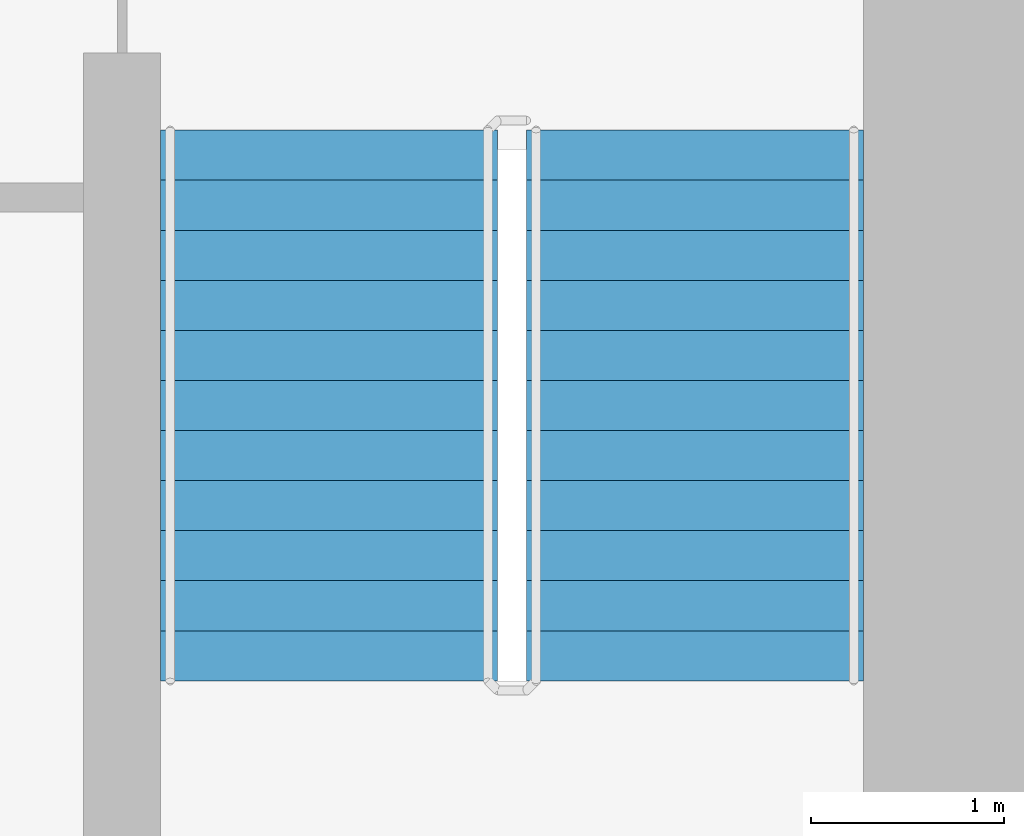
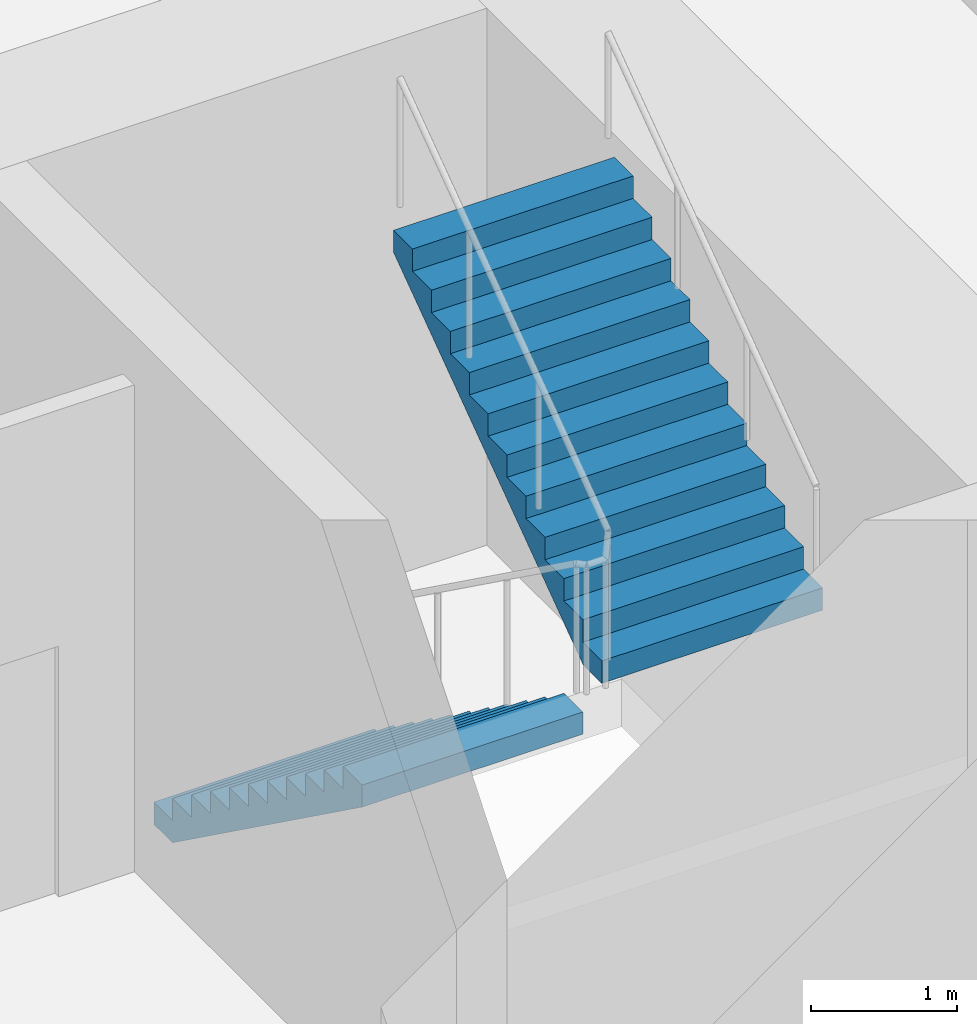
# One storey, part 35 of 49: 2 stair flights, 1 element without a shape of its own.
"""IFC4 building model written with IfcOpenShell, lengths in metres."""

import ifcopenshell
import ifcopenshell.guid

model = None  # the IFC model being written
_history = None  # IfcOwnerHistory: only IFC2X3 demands one
_inside = {}  # id of a spatial element -> (the spatial element, [elements in it])
_under = {}  # id of a project, library or spatial element -> (it, [spatial elements below it])
_declared = {}  # id of a project -> (the project, [libraries it declares])
_typed = {}  # id of a type object -> (the type object, [elements of that type])
_made_of = {}  # id of a material, layer set ... -> (it, [elements and type objects made of it])


def new_model(schema):
    """Start an empty IFC model of exactly this schema.

    Asked for "IFC4X3", IfcOpenShell would pick the latest addendum, in which some entities
    have other attributes; the version numbers below select the first issue.
    IFC2X3 requires an IfcOwnerHistory on every rooted entity: one is made here for all.
    """
    global model, _history
    if schema == "IFC4X3":
        model = ifcopenshell.file(schema_version=(4, 3, 0, 0))
    else:
        model = ifcopenshell.file(schema=schema)
    _inside.clear()
    _under.clear()
    _declared.clear()
    _typed.clear()
    _made_of.clear()
    _history = None
    if model.schema == "IFC2X3":
        org = make("IfcOrganization", Name="unknown")
        user = make(
            "IfcPersonAndOrganization",
            ThePerson=make("IfcPerson", FamilyName="unknown"),
            TheOrganization=org,
        )
        app = make(
            "IfcApplication",
            ApplicationDeveloper=org,
            Version="unknown",
            ApplicationFullName="unknown",
            ApplicationIdentifier="unknown",
        )
        _history = make(
            "IfcOwnerHistory",
            OwningUser=user,
            OwningApplication=app,
            ChangeAction="ADDED",
            CreationDate=0,
        )
    return model


def make(cls, **values):
    """One entity of the class cls with the attributes given. An attribute that is None is left unset."""
    return model.create_entity(
        cls, **{name: value for name, value in values.items() if value is not None}
    )


def rooted(cls, **values):
    """An entity with a GlobalId (a new one), such as an element, a storey or a relation."""
    return make(cls, GlobalId=ifcopenshell.guid.new(), OwnerHistory=_history, **values)


def si_unit(unit_type, name, prefix=None):
    """IfcSIUnit, for example si_unit("LENGTHUNIT", "METRE", prefix="MILLI")."""
    return make("IfcSIUnit", UnitType=unit_type, Prefix=prefix, Name=name)


def assignment(units):
    """IfcUnitAssignment: the units of a project."""
    return None if units is None else make("IfcUnitAssignment", Units=units)


def point(xyz):
    """IfcCartesianPoint."""
    return None if xyz is None else make("IfcCartesianPoint", Coordinates=xyz)


def direction(xyz):
    """IfcDirection."""
    return None if xyz is None else make("IfcDirection", DirectionRatios=xyz)


def frame(location, z_axis=None, x_axis=None):
    """IfcAxis2Placement3D, a coordinate frame: its origin and axes. An axis left out is left unset."""
    return make(
        "IfcAxis2Placement3D",
        Location=point(location),
        Axis=direction(z_axis),
        RefDirection=direction(x_axis),
    )


def origin():
    """The frame at (0, 0, 0) with its axes left unset."""
    return frame((0.0, 0.0, 0.0))


def place(relative_to, where):
    """IfcLocalPlacement: puts the frame where relative to a parent placement (None: the world)."""
    return make(
        "IfcLocalPlacement", PlacementRelTo=relative_to, RelativePlacement=where
    )


def context(
    kind, dimensions, precision=None, world=None, true_north=None, identifier=None
):
    """IfcGeometricRepresentationContext, for example the 3D "Model" context."""
    return make(
        "IfcGeometricRepresentationContext",
        ContextIdentifier=identifier,
        ContextType=kind,
        CoordinateSpaceDimension=dimensions,
        Precision=precision,
        WorldCoordinateSystem=world,
        TrueNorth=true_north,
    )


def subcontext(parent, identifier, kind, view, scale=None):
    """IfcGeometricRepresentationSubContext, for example "Body" below "Model"."""
    return make(
        "IfcGeometricRepresentationSubContext",
        ContextIdentifier=identifier,
        ContextType=kind,
        ParentContext=parent,
        TargetScale=scale,
        TargetView=view,
    )


def project(units=None, contexts=None):
    """IfcProject with its units and contexts."""
    return rooted(
        "IfcProject",
        Name="project",
        RepresentationContexts=contexts,
        UnitsInContext=assignment(units),
    )


def spatial(cls, under=None, at=None, **own):
    """A site, building, storey or space (cls), placed at a placement, below another one or the project."""
    s = rooted(cls, ObjectPlacement=at, **own)
    if under is not None:
        _under.setdefault(under.id(), (under, []))[1].append(s)
    return s


def faces_of(points, faces, orient=None, outer=None):
    """IfcFace entities. A face is a list of loops; a loop is a list of indices into points, from 0.

    orient and outer hold one flag for each loop. By default every Orientation is true, the
    first loop of a face is its IfcFaceOuterBound and the others are IfcFaceBound.
    """
    made = []
    for i, loops in enumerate(faces):
        bounds = []
        for j, loop in enumerate(loops):
            is_outer = j == 0 if outer is None else outer[i][j]
            bounds.append(
                make(
                    "IfcFaceOuterBound" if is_outer else "IfcFaceBound",
                    Bound=make("IfcPolyLoop", Polygon=[points[k] for k in loop]),
                    Orientation=True if orient is None else orient[i][j],
                )
            )
        made.append(make("IfcFace", Bounds=bounds))
    return made


def faceted_brep(points, faces, orient=None, outer=None, voids=None):
    """IfcFacetedBrep: a solid bounded by flat faces; with voids (closed shells), ...WithVoids."""
    shared = [point(p) for p in points]
    hull = make("IfcClosedShell", CfsFaces=faces_of(shared, faces, orient, outer))
    if voids is None:
        return make("IfcFacetedBrep", Outer=hull)
    return make(
        "IfcFacetedBrepWithVoids",
        Outer=hull,
        Voids=[
            make(cls, CfsFaces=faces_of(shared, fs, o, b)) for cls, fs, o, b in voids
        ],
    )


def shape(context_of_items, identifier, shape_type, items):
    """IfcShapeRepresentation: the items that make up one representation, for example the "Body"."""
    return make(
        "IfcShapeRepresentation",
        ContextOfItems=context_of_items,
        RepresentationIdentifier=identifier,
        RepresentationType=shape_type,
        Items=items,
    )


def material(Name=None, Category=None):
    """IfcMaterial."""
    return make("IfcMaterial", Name=Name, Category=Category)


def made_of(thing, what):
    """Note that an element or type object is made of a material, layer set ...; save() writes the relation."""
    if what is not None:
        _made_of.setdefault(what.id(), (what, []))[1].append(thing)
    return thing


def type_object(cls, material=None, **own):
    """A type object (cls), such as IfcWallType, which elements share."""
    return made_of(rooted(cls, **own), material)


def element(
    cls,
    number,
    at=None,
    inside=None,
    cuts=None,
    type_object=None,
    material=None,
    context=None,
    identifier="Body",
    shape_type=None,
    held_by="IfcProductDefinitionShape",
    body=None,
    shapes=None,
    **own,
):
    """One element of the class cls, such as IfcWall. Its Tag is "e" and its number.

    at: its placement. inside: the storey or other place that contains it. cuts: it is an
    opening in that element (IfcRelVoidsElement). A single representation is given by context,
    identifier, shape_type and body (its items); several are given by shapes. held_by: the class
    of the entity that holds the representations. save() writes the other relations.
    """
    e = rooted(cls, Tag="e%d" % number, ObjectPlacement=at, **own)
    if body is not None:
        shapes = [shape(context, identifier, shape_type, body)]
    if shapes is not None:
        e.Representation = make(held_by, Representations=shapes)
    if inside is not None:
        _inside.setdefault(inside.id(), (inside, []))[1].append(e)
    if cuts is not None:
        rooted(
            "IfcRelVoidsElement", RelatingBuildingElement=cuts, RelatedOpeningElement=e
        )
    if type_object is not None:
        _typed.setdefault(type_object.id(), (type_object, []))[1].append(e)
    return made_of(e, material)


def aggregate(whole, parts):
    """IfcRelAggregates: a whole, such as a stair, and the parts it consists of."""
    return rooted("IfcRelAggregates", RelatingObject=whole, RelatedObjects=parts)


def save(model, path):
    """Write the relations noted so far, then the file.

    IfcRelAggregates (storeys below a building ...), IfcRelContainedInSpatialStructure (elements
    in a storey), IfcRelDefinesByType, IfcRelAssociatesMaterial and IfcRelDeclares: one each for
    every whole, place, type object, material and project.
    """
    for whole, parts in _under.values():
        aggregate(whole, parts)
    for where, things in _inside.values():
        rooted(
            "IfcRelContainedInSpatialStructure",
            RelatedElements=things,
            RelatingStructure=where,
        )
    for kind, things in _typed.values():
        rooted("IfcRelDefinesByType", RelatedObjects=things, RelatingType=kind)
    for what, things in _made_of.values():
        rooted("IfcRelAssociatesMaterial", RelatedObjects=things, RelatingMaterial=what)
    for by, libraries in _declared.values():
        rooted("IfcRelDeclares", RelatingContext=by, RelatedDefinitions=libraries)
    model.write(path)


model = new_model("IFC4")

# Units and contexts
model_context = context("Model", 3, precision=1e-05, world=origin(), true_north=direction((0.0, 1.0)))
body_context = subcontext(model_context, "Body", "Model", "MODEL_VIEW")
ifc_project = project(units=[si_unit("LENGTHUNIT", "METRE"), si_unit("AREAUNIT", "SQUARE_METRE"), si_unit("VOLUMEUNIT", "CUBIC_METRE"), si_unit("PLANEANGLEUNIT", "RADIAN"), si_unit("MASSUNIT", "GRAM", prefix="KILO")], contexts=[model_context])

# Site, building, storey
site_placement = place(None, origin())
site = spatial("IfcSite", under=ifc_project, at=site_placement, CompositionType="ELEMENT")
building_placement = place(site_placement, origin())
building = spatial("IfcBuilding", under=site, at=building_placement, Name="Ipe Terrace Towers", CompositionType="ELEMENT")
storey_placement = place(building_placement, frame((0.0, 0.0, 11.0)))
storey = spatial("IfcBuildingStorey", under=building, at=storey_placement, Name="L02", CompositionType="ELEMENT", Elevation=11.0)

# Stair, stair flights
ifc_material_1 = material(Name="Concrete C30/37", Category="concrete")
stair_type = type_object("IfcStairType", Name="Protected exit stair", PredefinedType="HALF_TURN_STAIR", material=ifc_material_1)
stair_placement = place(storey_placement, origin())
stair = element("IfcStair", 1, at=stair_placement, inside=storey, type_object=stair_type, Name="L02 Exit stair T2-C2", PredefinedType="HALF_TURN_STAIR")
ifc_material_2 = material(Name="Concrete C30/37", Category="concrete")
stair_flight_type = type_object("IfcStairFlightType", Name="Exit stair flight 1750", PredefinedType="STRAIGHT", material=ifc_material_2)
stair_flight_1_placement = place(storey_placement, frame((38.77490234375, -9.699951171875, 0.0), z_axis=(0.0, 0.0, 1.0), x_axis=(0.0, -1.0, 0.0)))
stair_flight_1 = element("IfcStairFlight", 2, at=stair_flight_1_placement, type_object=stair_flight_type, Name="T2-ST2 flight 1", NumberOfRisers=12, NumberOfTreads=11, PredefinedType="STRAIGHT", RiserHeight=0.1875, TreadLength=0.26, context=body_context, shape_type="Brep", body=[
    faceted_brep([(0.25634765625, -0.875, 0.0), (2.860107421875, -0.875, 1.877685546875), (2.860107421875, -0.875, 2.0625), (2.60009765625, -0.875, 2.0625), (2.60009765625, -0.875, 1.875), (2.340087890625, -0.875, 1.875), (2.340087890625, -0.875, 1.6875), (2.080078125, -0.875, 1.6875), (2.080078125, -0.875, 1.5), (1.820068359375, -0.875, 1.5), (1.820068359375, -0.875, 1.3125), (1.56005859375, -0.875, 1.3125), (1.56005859375, -0.875, 1.125), (1.300048828125, -0.875, 1.125), (1.300048828125, -0.875, 0.9375), (1.0400390625, -0.875, 0.9375), (1.0400390625, -0.875, 0.75), (0.780029296875, -0.875, 0.75), (0.780029296875, -0.875, 0.5625), (0.52001953125, -0.875, 0.5625), (0.52001953125, -0.875, 0.375), (0.260009765625, -0.875, 0.375), (0.260009765625, -0.875, 0.1875), (0.0, -0.875, 0.1875), (0.0, -0.875, 0.0), (0.0, 0.875, 0.0), (0.0, 0.875, 0.1875), (0.260009765625, 0.875, 0.1875), (0.260009765625, 0.875, 0.375), (0.52001953125, 0.875, 0.375), (0.52001953125, 0.875, 0.5625), (0.780029296875, 0.875, 0.5625), (0.780029296875, 0.875, 0.75), (1.0400390625, 0.875, 0.75), (1.0400390625, 0.875, 0.9375), (1.300048828125, 0.875, 0.9375), (1.300048828125, 0.875, 1.125), (1.56005859375, 0.875, 1.125), (1.56005859375, 0.875, 1.3125), (1.820068359375, 0.875, 1.3125), (1.820068359375, 0.875, 1.5), (2.080078125, 0.875, 1.5), (2.080078125, 0.875, 1.6875), (2.340087890625, 0.875, 1.6875), (2.340087890625, 0.875, 1.875), (2.60009765625, 0.875, 1.875), (2.60009765625, 0.875, 2.0625), (2.860107421875, 0.875, 2.0625), (2.860107421875, 0.875, 1.877685546875), (0.25634765625, 0.875, 0.0), (0.0, -0.300048828125, 0.1875), (0.0, -0.1201171875, 0.1875), (0.0, -0.06005859375, 0.1875), (0.0, -0.030029296875, 0.1875), (0.0, -0.010009765625, 0.1875), (0.0, 0.0, 0.1875), (0.0, 0.010009765625, 0.1875), (0.0, 0.030029296875, 0.1875), (0.0, 0.06005859375, 0.1875), (0.0, 0.1201171875, 0.1875), (0.0, 0.300048828125, 0.1875), (0.0, 0.300048828125, 0.0), (0.0, 0.1201171875, 0.0), (0.0, 0.06005859375, 0.0), (0.0, 0.030029296875, 0.0), (0.0, 0.010009765625, 0.0), (0.0, 0.0, 0.0), (0.0, -0.010009765625, 0.0), (0.0, -0.030029296875, 0.0), (0.0, -0.06005859375, 0.0), (0.0, -0.1201171875, 0.0), (0.0, -0.300048828125, 0.0), (0.260009765625, -0.300048828125, 0.1875), (0.260009765625, -0.1201171875, 0.1875), (0.260009765625, -0.06005859375, 0.1875), (0.260009765625, -0.030029296875, 0.1875), (0.260009765625, -0.010009765625, 0.1875), (0.260009765625, 0.0, 0.1875), (0.260009765625, 0.010009765625, 0.1875), (0.260009765625, 0.030029296875, 0.1875), (0.260009765625, 0.06005859375, 0.1875), (0.260009765625, 0.1201171875, 0.1875), (0.260009765625, 0.300048828125, 0.1875), (0.260009765625, -0.300048828125, 0.375), (0.260009765625, -0.1201171875, 0.375), (0.260009765625, -0.06005859375, 0.375), (0.260009765625, -0.030029296875, 0.375), (0.260009765625, -0.010009765625, 0.375), (0.260009765625, 0.0, 0.375), (0.260009765625, 0.010009765625, 0.375), (0.260009765625, 0.030029296875, 0.375), (0.260009765625, 0.06005859375, 0.375), (0.260009765625, 0.1201171875, 0.375), (0.260009765625, 0.300048828125, 0.375), (0.52001953125, -0.300048828125, 0.375), (0.52001953125, -0.1201171875, 0.375), (0.52001953125, -0.06005859375, 0.375), (0.52001953125, -0.030029296875, 0.375), (0.52001953125, -0.010009765625, 0.375), (0.52001953125, 0.0, 0.375), (0.52001953125, 0.010009765625, 0.375), (0.52001953125, 0.030029296875, 0.375), (0.52001953125, 0.06005859375, 0.375), (0.52001953125, 0.1201171875, 0.375), (0.52001953125, 0.300048828125, 0.375), (0.52001953125, -0.300048828125, 0.5625), (0.52001953125, -0.1201171875, 0.5625), (0.52001953125, -0.06005859375, 0.5625), (0.52001953125, -0.030029296875, 0.5625), (0.52001953125, -0.010009765625, 0.5625), (0.52001953125, 0.0, 0.5625), (0.52001953125, 0.010009765625, 0.5625), (0.52001953125, 0.030029296875, 0.5625), (0.52001953125, 0.06005859375, 0.5625), (0.52001953125, 0.1201171875, 0.5625), (0.52001953125, 0.300048828125, 0.5625), (0.780029296875, -0.300048828125, 0.5625), (0.780029296875, -0.1201171875, 0.5625), (0.780029296875, -0.06005859375, 0.5625), (0.780029296875, -0.030029296875, 0.5625), (0.780029296875, -0.010009765625, 0.5625), (0.780029296875, 0.0, 0.5625), (0.780029296875, 0.010009765625, 0.5625), (0.780029296875, 0.030029296875, 0.5625), (0.780029296875, 0.06005859375, 0.5625), (0.780029296875, 0.1201171875, 0.5625), (0.780029296875, 0.300048828125, 0.5625), (0.780029296875, -0.300048828125, 0.75), (0.780029296875, -0.1201171875, 0.75), (0.780029296875, -0.06005859375, 0.75), (0.780029296875, -0.030029296875, 0.75), (0.780029296875, -0.010009765625, 0.75), (0.780029296875, 0.0, 0.75), (0.780029296875, 0.010009765625, 0.75), (0.780029296875, 0.030029296875, 0.75), (0.780029296875, 0.06005859375, 0.75), (0.780029296875, 0.1201171875, 0.75), (0.780029296875, 0.300048828125, 0.75), (1.0400390625, -0.300048828125, 0.75), (1.0400390625, -0.1201171875, 0.75), (1.0400390625, -0.06005859375, 0.75), (1.0400390625, -0.030029296875, 0.75), (1.0400390625, -0.010009765625, 0.75), (1.0400390625, 0.0, 0.75), (1.0400390625, 0.010009765625, 0.75), (1.0400390625, 0.030029296875, 0.75), (1.0400390625, 0.06005859375, 0.75), (1.0400390625, 0.1201171875, 0.75), (1.0400390625, 0.300048828125, 0.75), (1.0400390625, -0.300048828125, 0.9375), (1.0400390625, -0.1201171875, 0.9375), (1.0400390625, -0.06005859375, 0.9375), (1.0400390625, -0.030029296875, 0.9375), (1.0400390625, -0.010009765625, 0.9375), (1.0400390625, 0.0, 0.9375), (1.0400390625, 0.010009765625, 0.9375), (1.0400390625, 0.030029296875, 0.9375), (1.0400390625, 0.06005859375, 0.9375), (1.0400390625, 0.1201171875, 0.9375), (1.0400390625, 0.300048828125, 0.9375), (1.300048828125, -0.300048828125, 0.9375), (1.300048828125, -0.1201171875, 0.9375), (1.300048828125, -0.06005859375, 0.9375), (1.300048828125, -0.030029296875, 0.9375), (1.300048828125, -0.010009765625, 0.9375), (1.300048828125, 0.0, 0.9375), (1.300048828125, 0.010009765625, 0.9375), (1.300048828125, 0.030029296875, 0.9375), (1.300048828125, 0.06005859375, 0.9375), (1.300048828125, 0.1201171875, 0.9375), (1.300048828125, 0.300048828125, 0.9375), (1.300048828125, -0.300048828125, 1.125), (1.300048828125, -0.1201171875, 1.125), (1.300048828125, -0.06005859375, 1.125), (1.300048828125, -0.030029296875, 1.125), (1.300048828125, -0.010009765625, 1.125), (1.300048828125, 0.0, 1.125), (1.300048828125, 0.010009765625, 1.125), (1.300048828125, 0.030029296875, 1.125), (1.300048828125, 0.06005859375, 1.125), (1.300048828125, 0.1201171875, 1.125), (1.300048828125, 0.300048828125, 1.125), (1.56005859375, -0.300048828125, 1.125), (1.56005859375, -0.1201171875, 1.125), (1.56005859375, -0.06005859375, 1.125), (1.56005859375, -0.030029296875, 1.125), (1.56005859375, -0.010009765625, 1.125), (1.56005859375, 0.0, 1.125), (1.56005859375, 0.010009765625, 1.125), (1.56005859375, 0.030029296875, 1.125), (1.56005859375, 0.06005859375, 1.125), (1.56005859375, 0.1201171875, 1.125), (1.56005859375, 0.300048828125, 1.125), (1.56005859375, -0.300048828125, 1.3125), (1.56005859375, -0.1201171875, 1.3125), (1.56005859375, -0.06005859375, 1.3125), (1.56005859375, -0.030029296875, 1.3125), (1.56005859375, -0.010009765625, 1.3125), (1.56005859375, 0.0, 1.3125), (1.56005859375, 0.010009765625, 1.3125), (1.56005859375, 0.030029296875, 1.3125), (1.56005859375, 0.06005859375, 1.3125), (1.56005859375, 0.1201171875, 1.3125), (1.56005859375, 0.300048828125, 1.3125), (1.820068359375, -0.300048828125, 1.3125), (1.820068359375, -0.1201171875, 1.3125), (1.820068359375, -0.06005859375, 1.3125), (1.820068359375, -0.030029296875, 1.3125), (1.820068359375, -0.010009765625, 1.3125), (1.820068359375, 0.0, 1.3125), (1.820068359375, 0.010009765625, 1.3125), (1.820068359375, 0.030029296875, 1.3125), (1.820068359375, 0.06005859375, 1.3125), (1.820068359375, 0.1201171875, 1.3125), (1.820068359375, 0.300048828125, 1.3125), (1.820068359375, -0.300048828125, 1.5), (1.820068359375, -0.1201171875, 1.5), (1.820068359375, -0.06005859375, 1.5), (1.820068359375, -0.030029296875, 1.5), (1.820068359375, -0.010009765625, 1.5), (1.820068359375, 0.0, 1.5), (1.820068359375, 0.010009765625, 1.5), (1.820068359375, 0.030029296875, 1.5), (1.820068359375, 0.06005859375, 1.5), (1.820068359375, 0.1201171875, 1.5), (1.820068359375, 0.300048828125, 1.5), (2.080078125, -0.300048828125, 1.5), (2.080078125, -0.1201171875, 1.5), (2.080078125, -0.06005859375, 1.5), (2.080078125, -0.030029296875, 1.5), (2.080078125, -0.010009765625, 1.5), (2.080078125, 0.0, 1.5), (2.080078125, 0.010009765625, 1.5), (2.080078125, 0.030029296875, 1.5), (2.080078125, 0.06005859375, 1.5), (2.080078125, 0.1201171875, 1.5), (2.080078125, 0.300048828125, 1.5), (2.080078125, -0.300048828125, 1.6875), (2.080078125, -0.1201171875, 1.6875), (2.080078125, -0.06005859375, 1.6875), (2.080078125, -0.030029296875, 1.6875), (2.080078125, -0.010009765625, 1.6875), (2.080078125, 0.0, 1.6875), (2.080078125, 0.010009765625, 1.6875), (2.080078125, 0.030029296875, 1.6875), (2.080078125, 0.06005859375, 1.6875), (2.080078125, 0.1201171875, 1.6875), (2.080078125, 0.300048828125, 1.6875), (2.340087890625, -0.300048828125, 1.6875), (2.340087890625, -0.1201171875, 1.6875), (2.340087890625, -0.06005859375, 1.6875), (2.340087890625, -0.030029296875, 1.6875), (2.340087890625, -0.010009765625, 1.6875), (2.340087890625, 0.0, 1.6875), (2.340087890625, 0.010009765625, 1.6875), (2.340087890625, 0.030029296875, 1.6875), (2.340087890625, 0.06005859375, 1.6875), (2.340087890625, 0.1201171875, 1.6875), (2.340087890625, 0.300048828125, 1.6875), (2.340087890625, -0.300048828125, 1.875), (2.340087890625, -0.1201171875, 1.875), (2.340087890625, -0.06005859375, 1.875), (2.340087890625, -0.030029296875, 1.875), (2.340087890625, -0.010009765625, 1.875), (2.340087890625, 0.0, 1.875), (2.340087890625, 0.010009765625, 1.875), (2.340087890625, 0.030029296875, 1.875), (2.340087890625, 0.06005859375, 1.875), (2.340087890625, 0.1201171875, 1.875), (2.340087890625, 0.300048828125, 1.875), (2.60009765625, -0.300048828125, 1.875), (2.60009765625, -0.1201171875, 1.875), (2.60009765625, -0.06005859375, 1.875), (2.60009765625, -0.030029296875, 1.875), (2.60009765625, -0.010009765625, 1.875), (2.60009765625, 0.0, 1.875), (2.60009765625, 0.010009765625, 1.875), (2.60009765625, 0.030029296875, 1.875), (2.60009765625, 0.06005859375, 1.875), (2.60009765625, 0.1201171875, 1.875), (2.60009765625, 0.300048828125, 1.875), (2.60009765625, -0.300048828125, 2.0625), (2.60009765625, -0.1201171875, 2.0625), (2.60009765625, -0.06005859375, 2.0625), (2.60009765625, -0.030029296875, 2.0625), (2.60009765625, -0.010009765625, 2.0625), (2.60009765625, 0.0, 2.0625), (2.60009765625, 0.010009765625, 2.0625), (2.60009765625, 0.030029296875, 2.0625), (2.60009765625, 0.06005859375, 2.0625), (2.60009765625, 0.1201171875, 2.0625), (2.60009765625, 0.300048828125, 2.0625), (2.860107421875, -0.300048828125, 2.0625), (2.860107421875, -0.1201171875, 2.0625), (2.860107421875, -0.06005859375, 2.0625), (2.860107421875, -0.030029296875, 2.0625), (2.860107421875, -0.010009765625, 2.0625), (2.860107421875, 0.0, 2.0625), (2.860107421875, 0.010009765625, 2.0625), (2.860107421875, 0.030029296875, 2.0625), (2.860107421875, 0.06005859375, 2.0625), (2.860107421875, 0.1201171875, 2.0625), (2.860107421875, 0.300048828125, 2.0625), (2.860107421875, -0.300048828125, 1.877685546875), (2.860107421875, -0.1201171875, 1.877685546875), (2.860107421875, -0.06005859375, 1.877685546875), (2.860107421875, -0.030029296875, 1.877685546875), (2.860107421875, -0.010009765625, 1.877685546875), (2.860107421875, 0.0, 1.877685546875), (2.860107421875, 0.010009765625, 1.877685546875), (2.860107421875, 0.030029296875, 1.877685546875), (2.860107421875, 0.06005859375, 1.877685546875), (2.860107421875, 0.1201171875, 1.877685546875), (2.860107421875, 0.300048828125, 1.877685546875), (0.25634765625, -0.300048828125, 0.0), (0.25634765625, -0.1201171875, 0.0), (0.25634765625, -0.06005859375, 0.0), (0.25634765625, -0.030029296875, 0.0), (0.25634765625, -0.010009765625, 0.0), (0.25634765625, 0.0, 0.0), (0.25634765625, 0.010009765625, 0.0), (0.25634765625, 0.030029296875, 0.0), (0.25634765625, 0.06005859375, 0.0), (0.25634765625, 0.1201171875, 0.0), (0.25634765625, 0.300048828125, 0.0)], [[[0, 1, 2, 3, 4, 5, 6, 7, 8, 9, 10, 11, 12, 13, 14, 15, 16, 17, 18, 19, 20, 21, 22, 23, 24]], [[25, 26, 27, 28, 29, 30, 31, 32, 33, 34, 35, 36, 37, 38, 39, 40, 41, 42, 43, 44, 45, 46, 47, 48, 49]], [[23, 50, 51, 52, 53, 54, 55, 56, 57, 58, 59, 60, 26, 25, 61, 62, 63, 64, 65, 66, 67, 68, 69, 70, 71, 24]], [[22, 72, 73, 74, 75, 76, 77, 78, 79, 80, 81, 82, 27, 26, 60, 59, 58, 57, 56, 55, 54, 53, 52, 51, 50, 23]], [[21, 83, 84, 85, 86, 87, 88, 89, 90, 91, 92, 93, 28, 27, 82, 81, 80, 79, 78, 77, 76, 75, 74, 73, 72, 22]], [[20, 94, 95, 96, 97, 98, 99, 100, 101, 102, 103, 104, 29, 28, 93, 92, 91, 90, 89, 88, 87, 86, 85, 84, 83, 21]], [[19, 105, 106, 107, 108, 109, 110, 111, 112, 113, 114, 115, 30, 29, 104, 103, 102, 101, 100, 99, 98, 97, 96, 95, 94, 20]], [[18, 116, 117, 118, 119, 120, 121, 122, 123, 124, 125, 126, 31, 30, 115, 114, 113, 112, 111, 110, 109, 108, 107, 106, 105, 19]], [[17, 127, 128, 129, 130, 131, 132, 133, 134, 135, 136, 137, 32, 31, 126, 125, 124, 123, 122, 121, 120, 119, 118, 117, 116, 18]], [[16, 138, 139, 140, 141, 142, 143, 144, 145, 146, 147, 148, 33, 32, 137, 136, 135, 134, 133, 132, 131, 130, 129, 128, 127, 17]], [[15, 149, 150, 151, 152, 153, 154, 155, 156, 157, 158, 159, 34, 33, 148, 147, 146, 145, 144, 143, 142, 141, 140, 139, 138, 16]], [[14, 160, 161, 162, 163, 164, 165, 166, 167, 168, 169, 170, 35, 34, 159, 158, 157, 156, 155, 154, 153, 152, 151, 150, 149, 15]], [[13, 171, 172, 173, 174, 175, 176, 177, 178, 179, 180, 181, 36, 35, 170, 169, 168, 167, 166, 165, 164, 163, 162, 161, 160, 14]], [[12, 182, 183, 184, 185, 186, 187, 188, 189, 190, 191, 192, 37, 36, 181, 180, 179, 178, 177, 176, 175, 174, 173, 172, 171, 13]], [[11, 193, 194, 195, 196, 197, 198, 199, 200, 201, 202, 203, 38, 37, 192, 191, 190, 189, 188, 187, 186, 185, 184, 183, 182, 12]], [[10, 204, 205, 206, 207, 208, 209, 210, 211, 212, 213, 214, 39, 38, 203, 202, 201, 200, 199, 198, 197, 196, 195, 194, 193, 11]], [[9, 215, 216, 217, 218, 219, 220, 221, 222, 223, 224, 225, 40, 39, 214, 213, 212, 211, 210, 209, 208, 207, 206, 205, 204, 10]], [[8, 226, 227, 228, 229, 230, 231, 232, 233, 234, 235, 236, 41, 40, 225, 224, 223, 222, 221, 220, 219, 218, 217, 216, 215, 9]], [[7, 237, 238, 239, 240, 241, 242, 243, 244, 245, 246, 247, 42, 41, 236, 235, 234, 233, 232, 231, 230, 229, 228, 227, 226, 8]], [[6, 248, 249, 250, 251, 252, 253, 254, 255, 256, 257, 258, 43, 42, 247, 246, 245, 244, 243, 242, 241, 240, 239, 238, 237, 7]], [[5, 259, 260, 261, 262, 263, 264, 265, 266, 267, 268, 269, 44, 43, 258, 257, 256, 255, 254, 253, 252, 251, 250, 249, 248, 6]], [[4, 270, 271, 272, 273, 274, 275, 276, 277, 278, 279, 280, 45, 44, 269, 268, 267, 266, 265, 264, 263, 262, 261, 260, 259, 5]], [[3, 281, 282, 283, 284, 285, 286, 287, 288, 289, 290, 291, 46, 45, 280, 279, 278, 277, 276, 275, 274, 273, 272, 271, 270, 4]], [[2, 292, 293, 294, 295, 296, 297, 298, 299, 300, 301, 302, 47, 46, 291, 290, 289, 288, 287, 286, 285, 284, 283, 282, 281, 3]], [[1, 303, 304, 305, 306, 307, 308, 309, 310, 311, 312, 313, 48, 47, 302, 301, 300, 299, 298, 297, 296, 295, 294, 293, 292, 2]], [[0, 314, 315, 316, 317, 318, 319, 320, 321, 322, 323, 324, 49, 48, 313, 312, 311, 310, 309, 308, 307, 306, 305, 304, 303, 1]], [[24, 71, 70, 69, 68, 67, 66, 65, 64, 63, 62, 61, 25, 49, 324, 323, 322, 321, 320, 319, 318, 317, 316, 315, 314, 0]]]),
])
stair_flight_2_placement = place(storey_placement, frame((40.675048828125, -12.56005859375, 2.25), z_axis=(0.0, 0.0, 1.0), x_axis=(0.0, 1.0, 0.0)))
stair_flight_2 = element("IfcStairFlight", 3, at=stair_flight_2_placement, type_object=stair_flight_type, Name="T2-ST2 flight 2", NumberOfRisers=12, NumberOfTreads=11, PredefinedType="STRAIGHT", RiserHeight=0.1875, TreadLength=0.26, context=body_context, shape_type="Brep", body=[
    faceted_brep([(0.25634765625, -0.875, 0.0), (2.860107421875, -0.875, 1.877685546875), (2.860107421875, -0.875, 2.0625), (2.60009765625, -0.875, 2.0625), (2.60009765625, -0.875, 1.875), (2.340087890625, -0.875, 1.875), (2.340087890625, -0.875, 1.6875), (2.080078125, -0.875, 1.6875), (2.080078125, -0.875, 1.5), (1.820068359375, -0.875, 1.5), (1.820068359375, -0.875, 1.3125), (1.56005859375, -0.875, 1.3125), (1.56005859375, -0.875, 1.125), (1.300048828125, -0.875, 1.125), (1.300048828125, -0.875, 0.9375), (1.0400390625, -0.875, 0.9375), (1.0400390625, -0.875, 0.75), (0.780029296875, -0.875, 0.75), (0.780029296875, -0.875, 0.5625), (0.52001953125, -0.875, 0.5625), (0.52001953125, -0.875, 0.375), (0.260009765625, -0.875, 0.375), (0.260009765625, -0.875, 0.1875), (0.0, -0.875, 0.1875), (0.0, -0.875, 0.0), (0.0, 0.875, 0.0), (0.0, 0.875, 0.1875), (0.260009765625, 0.875, 0.1875), (0.260009765625, 0.875, 0.375), (0.52001953125, 0.875, 0.375), (0.52001953125, 0.875, 0.5625), (0.780029296875, 0.875, 0.5625), (0.780029296875, 0.875, 0.75), (1.0400390625, 0.875, 0.75), (1.0400390625, 0.875, 0.9375), (1.300048828125, 0.875, 0.9375), (1.300048828125, 0.875, 1.125), (1.56005859375, 0.875, 1.125), (1.56005859375, 0.875, 1.3125), (1.820068359375, 0.875, 1.3125), (1.820068359375, 0.875, 1.5), (2.080078125, 0.875, 1.5), (2.080078125, 0.875, 1.6875), (2.340087890625, 0.875, 1.6875), (2.340087890625, 0.875, 1.875), (2.60009765625, 0.875, 1.875), (2.60009765625, 0.875, 2.0625), (2.860107421875, 0.875, 2.0625), (2.860107421875, 0.875, 1.877685546875), (0.25634765625, 0.875, 0.0), (0.0, -0.300048828125, 0.1875), (0.0, -0.1201171875, 0.1875), (0.0, -0.06005859375, 0.1875), (0.0, -0.030029296875, 0.1875), (0.0, -0.010009765625, 0.1875), (0.0, 0.0, 0.1875), (0.0, 0.010009765625, 0.1875), (0.0, 0.030029296875, 0.1875), (0.0, 0.06005859375, 0.1875), (0.0, 0.1201171875, 0.1875), (0.0, 0.300048828125, 0.1875), (0.0, 0.300048828125, 0.0), (0.0, 0.1201171875, 0.0), (0.0, 0.06005859375, 0.0), (0.0, 0.030029296875, 0.0), (0.0, 0.010009765625, 0.0), (0.0, 0.0, 0.0), (0.0, -0.010009765625, 0.0), (0.0, -0.030029296875, 0.0), (0.0, -0.06005859375, 0.0), (0.0, -0.1201171875, 0.0), (0.0, -0.300048828125, 0.0), (0.260009765625, -0.300048828125, 0.1875), (0.260009765625, -0.1201171875, 0.1875), (0.260009765625, -0.06005859375, 0.1875), (0.260009765625, -0.030029296875, 0.1875), (0.260009765625, -0.010009765625, 0.1875), (0.260009765625, 0.0, 0.1875), (0.260009765625, 0.010009765625, 0.1875), (0.260009765625, 0.030029296875, 0.1875), (0.260009765625, 0.06005859375, 0.1875), (0.260009765625, 0.1201171875, 0.1875), (0.260009765625, 0.300048828125, 0.1875), (0.260009765625, -0.300048828125, 0.375), (0.260009765625, -0.1201171875, 0.375), (0.260009765625, -0.06005859375, 0.375), (0.260009765625, -0.030029296875, 0.375), (0.260009765625, -0.010009765625, 0.375), (0.260009765625, 0.0, 0.375), (0.260009765625, 0.010009765625, 0.375), (0.260009765625, 0.030029296875, 0.375), (0.260009765625, 0.06005859375, 0.375), (0.260009765625, 0.1201171875, 0.375), (0.260009765625, 0.300048828125, 0.375), (0.52001953125, -0.300048828125, 0.375), (0.52001953125, -0.1201171875, 0.375), (0.52001953125, -0.06005859375, 0.375), (0.52001953125, -0.030029296875, 0.375), (0.52001953125, -0.010009765625, 0.375), (0.52001953125, 0.0, 0.375), (0.52001953125, 0.010009765625, 0.375), (0.52001953125, 0.030029296875, 0.375), (0.52001953125, 0.06005859375, 0.375), (0.52001953125, 0.1201171875, 0.375), (0.52001953125, 0.300048828125, 0.375), (0.52001953125, -0.300048828125, 0.5625), (0.52001953125, -0.1201171875, 0.5625), (0.52001953125, -0.06005859375, 0.5625), (0.52001953125, -0.030029296875, 0.5625), (0.52001953125, -0.010009765625, 0.5625), (0.52001953125, 0.0, 0.5625), (0.52001953125, 0.010009765625, 0.5625), (0.52001953125, 0.030029296875, 0.5625), (0.52001953125, 0.06005859375, 0.5625), (0.52001953125, 0.1201171875, 0.5625), (0.52001953125, 0.300048828125, 0.5625), (0.780029296875, -0.300048828125, 0.5625), (0.780029296875, -0.1201171875, 0.5625), (0.780029296875, -0.06005859375, 0.5625), (0.780029296875, -0.030029296875, 0.5625), (0.780029296875, -0.010009765625, 0.5625), (0.780029296875, 0.0, 0.5625), (0.780029296875, 0.010009765625, 0.5625), (0.780029296875, 0.030029296875, 0.5625), (0.780029296875, 0.06005859375, 0.5625), (0.780029296875, 0.1201171875, 0.5625), (0.780029296875, 0.300048828125, 0.5625), (0.780029296875, -0.300048828125, 0.75), (0.780029296875, -0.1201171875, 0.75), (0.780029296875, -0.06005859375, 0.75), (0.780029296875, -0.030029296875, 0.75), (0.780029296875, -0.010009765625, 0.75), (0.780029296875, 0.0, 0.75), (0.780029296875, 0.010009765625, 0.75), (0.780029296875, 0.030029296875, 0.75), (0.780029296875, 0.06005859375, 0.75), (0.780029296875, 0.1201171875, 0.75), (0.780029296875, 0.300048828125, 0.75), (1.0400390625, -0.300048828125, 0.75), (1.0400390625, -0.1201171875, 0.75), (1.0400390625, -0.06005859375, 0.75), (1.0400390625, -0.030029296875, 0.75), (1.0400390625, -0.010009765625, 0.75), (1.0400390625, 0.0, 0.75), (1.0400390625, 0.010009765625, 0.75), (1.0400390625, 0.030029296875, 0.75), (1.0400390625, 0.06005859375, 0.75), (1.0400390625, 0.1201171875, 0.75), (1.0400390625, 0.300048828125, 0.75), (1.0400390625, -0.300048828125, 0.9375), (1.0400390625, -0.1201171875, 0.9375), (1.0400390625, -0.06005859375, 0.9375), (1.0400390625, -0.030029296875, 0.9375), (1.0400390625, -0.010009765625, 0.9375), (1.0400390625, 0.0, 0.9375), (1.0400390625, 0.010009765625, 0.9375), (1.0400390625, 0.030029296875, 0.9375), (1.0400390625, 0.06005859375, 0.9375), (1.0400390625, 0.1201171875, 0.9375), (1.0400390625, 0.300048828125, 0.9375), (1.300048828125, -0.300048828125, 0.9375), (1.300048828125, -0.1201171875, 0.9375), (1.300048828125, -0.06005859375, 0.9375), (1.300048828125, -0.030029296875, 0.9375), (1.300048828125, -0.010009765625, 0.9375), (1.300048828125, 0.0, 0.9375), (1.300048828125, 0.010009765625, 0.9375), (1.300048828125, 0.030029296875, 0.9375), (1.300048828125, 0.06005859375, 0.9375), (1.300048828125, 0.1201171875, 0.9375), (1.300048828125, 0.300048828125, 0.9375), (1.300048828125, -0.300048828125, 1.125), (1.300048828125, -0.1201171875, 1.125), (1.300048828125, -0.06005859375, 1.125), (1.300048828125, -0.030029296875, 1.125), (1.300048828125, -0.010009765625, 1.125), (1.300048828125, 0.0, 1.125), (1.300048828125, 0.010009765625, 1.125), (1.300048828125, 0.030029296875, 1.125), (1.300048828125, 0.06005859375, 1.125), (1.300048828125, 0.1201171875, 1.125), (1.300048828125, 0.300048828125, 1.125), (1.56005859375, -0.300048828125, 1.125), (1.56005859375, -0.1201171875, 1.125), (1.56005859375, -0.06005859375, 1.125), (1.56005859375, -0.030029296875, 1.125), (1.56005859375, -0.010009765625, 1.125), (1.56005859375, 0.0, 1.125), (1.56005859375, 0.010009765625, 1.125), (1.56005859375, 0.030029296875, 1.125), (1.56005859375, 0.06005859375, 1.125), (1.56005859375, 0.1201171875, 1.125), (1.56005859375, 0.300048828125, 1.125), (1.56005859375, -0.300048828125, 1.3125), (1.56005859375, -0.1201171875, 1.3125), (1.56005859375, -0.06005859375, 1.3125), (1.56005859375, -0.030029296875, 1.3125), (1.56005859375, -0.010009765625, 1.3125), (1.56005859375, 0.0, 1.3125), (1.56005859375, 0.010009765625, 1.3125), (1.56005859375, 0.030029296875, 1.3125), (1.56005859375, 0.06005859375, 1.3125), (1.56005859375, 0.1201171875, 1.3125), (1.56005859375, 0.300048828125, 1.3125), (1.820068359375, -0.300048828125, 1.3125), (1.820068359375, -0.1201171875, 1.3125), (1.820068359375, -0.06005859375, 1.3125), (1.820068359375, -0.030029296875, 1.3125), (1.820068359375, -0.010009765625, 1.3125), (1.820068359375, 0.0, 1.3125), (1.820068359375, 0.010009765625, 1.3125), (1.820068359375, 0.030029296875, 1.3125), (1.820068359375, 0.06005859375, 1.3125), (1.820068359375, 0.1201171875, 1.3125), (1.820068359375, 0.300048828125, 1.3125), (1.820068359375, -0.300048828125, 1.5), (1.820068359375, -0.1201171875, 1.5), (1.820068359375, -0.06005859375, 1.5), (1.820068359375, -0.030029296875, 1.5), (1.820068359375, -0.010009765625, 1.5), (1.820068359375, 0.0, 1.5), (1.820068359375, 0.010009765625, 1.5), (1.820068359375, 0.030029296875, 1.5), (1.820068359375, 0.06005859375, 1.5), (1.820068359375, 0.1201171875, 1.5), (1.820068359375, 0.300048828125, 1.5), (2.080078125, -0.300048828125, 1.5), (2.080078125, -0.1201171875, 1.5), (2.080078125, -0.06005859375, 1.5), (2.080078125, -0.030029296875, 1.5), (2.080078125, -0.010009765625, 1.5), (2.080078125, 0.0, 1.5), (2.080078125, 0.010009765625, 1.5), (2.080078125, 0.030029296875, 1.5), (2.080078125, 0.06005859375, 1.5), (2.080078125, 0.1201171875, 1.5), (2.080078125, 0.300048828125, 1.5), (2.080078125, -0.300048828125, 1.6875), (2.080078125, -0.1201171875, 1.6875), (2.080078125, -0.06005859375, 1.6875), (2.080078125, -0.030029296875, 1.6875), (2.080078125, -0.010009765625, 1.6875), (2.080078125, 0.0, 1.6875), (2.080078125, 0.010009765625, 1.6875), (2.080078125, 0.030029296875, 1.6875), (2.080078125, 0.06005859375, 1.6875), (2.080078125, 0.1201171875, 1.6875), (2.080078125, 0.300048828125, 1.6875), (2.340087890625, -0.300048828125, 1.6875), (2.340087890625, -0.1201171875, 1.6875), (2.340087890625, -0.06005859375, 1.6875), (2.340087890625, -0.030029296875, 1.6875), (2.340087890625, -0.010009765625, 1.6875), (2.340087890625, 0.0, 1.6875), (2.340087890625, 0.010009765625, 1.6875), (2.340087890625, 0.030029296875, 1.6875), (2.340087890625, 0.06005859375, 1.6875), (2.340087890625, 0.1201171875, 1.6875), (2.340087890625, 0.300048828125, 1.6875), (2.340087890625, -0.300048828125, 1.875), (2.340087890625, -0.1201171875, 1.875), (2.340087890625, -0.06005859375, 1.875), (2.340087890625, -0.030029296875, 1.875), (2.340087890625, -0.010009765625, 1.875), (2.340087890625, 0.0, 1.875), (2.340087890625, 0.010009765625, 1.875), (2.340087890625, 0.030029296875, 1.875), (2.340087890625, 0.06005859375, 1.875), (2.340087890625, 0.1201171875, 1.875), (2.340087890625, 0.300048828125, 1.875), (2.60009765625, -0.300048828125, 1.875), (2.60009765625, -0.1201171875, 1.875), (2.60009765625, -0.06005859375, 1.875), (2.60009765625, -0.030029296875, 1.875), (2.60009765625, -0.010009765625, 1.875), (2.60009765625, 0.0, 1.875), (2.60009765625, 0.010009765625, 1.875), (2.60009765625, 0.030029296875, 1.875), (2.60009765625, 0.06005859375, 1.875), (2.60009765625, 0.1201171875, 1.875), (2.60009765625, 0.300048828125, 1.875), (2.60009765625, -0.300048828125, 2.0625), (2.60009765625, -0.1201171875, 2.0625), (2.60009765625, -0.06005859375, 2.0625), (2.60009765625, -0.030029296875, 2.0625), (2.60009765625, -0.010009765625, 2.0625), (2.60009765625, 0.0, 2.0625), (2.60009765625, 0.010009765625, 2.0625), (2.60009765625, 0.030029296875, 2.0625), (2.60009765625, 0.06005859375, 2.0625), (2.60009765625, 0.1201171875, 2.0625), (2.60009765625, 0.300048828125, 2.0625), (2.860107421875, -0.300048828125, 2.0625), (2.860107421875, -0.1201171875, 2.0625), (2.860107421875, -0.06005859375, 2.0625), (2.860107421875, -0.030029296875, 2.0625), (2.860107421875, -0.010009765625, 2.0625), (2.860107421875, 0.0, 2.0625), (2.860107421875, 0.010009765625, 2.0625), (2.860107421875, 0.030029296875, 2.0625), (2.860107421875, 0.06005859375, 2.0625), (2.860107421875, 0.1201171875, 2.0625), (2.860107421875, 0.300048828125, 2.0625), (2.860107421875, -0.300048828125, 1.877685546875), (2.860107421875, -0.1201171875, 1.877685546875), (2.860107421875, -0.06005859375, 1.877685546875), (2.860107421875, -0.030029296875, 1.877685546875), (2.860107421875, -0.010009765625, 1.877685546875), (2.860107421875, 0.0, 1.877685546875), (2.860107421875, 0.010009765625, 1.877685546875), (2.860107421875, 0.030029296875, 1.877685546875), (2.860107421875, 0.06005859375, 1.877685546875), (2.860107421875, 0.1201171875, 1.877685546875), (2.860107421875, 0.300048828125, 1.877685546875), (0.25634765625, -0.300048828125, 0.0), (0.25634765625, -0.1201171875, 0.0), (0.25634765625, -0.06005859375, 0.0), (0.25634765625, -0.030029296875, 0.0), (0.25634765625, -0.010009765625, 0.0), (0.25634765625, 0.0, 0.0), (0.25634765625, 0.010009765625, 0.0), (0.25634765625, 0.030029296875, 0.0), (0.25634765625, 0.06005859375, 0.0), (0.25634765625, 0.1201171875, 0.0), (0.25634765625, 0.300048828125, 0.0)], [[[0, 1, 2, 3, 4, 5, 6, 7, 8, 9, 10, 11, 12, 13, 14, 15, 16, 17, 18, 19, 20, 21, 22, 23, 24]], [[25, 26, 27, 28, 29, 30, 31, 32, 33, 34, 35, 36, 37, 38, 39, 40, 41, 42, 43, 44, 45, 46, 47, 48, 49]], [[23, 50, 51, 52, 53, 54, 55, 56, 57, 58, 59, 60, 26, 25, 61, 62, 63, 64, 65, 66, 67, 68, 69, 70, 71, 24]], [[22, 72, 73, 74, 75, 76, 77, 78, 79, 80, 81, 82, 27, 26, 60, 59, 58, 57, 56, 55, 54, 53, 52, 51, 50, 23]], [[21, 83, 84, 85, 86, 87, 88, 89, 90, 91, 92, 93, 28, 27, 82, 81, 80, 79, 78, 77, 76, 75, 74, 73, 72, 22]], [[20, 94, 95, 96, 97, 98, 99, 100, 101, 102, 103, 104, 29, 28, 93, 92, 91, 90, 89, 88, 87, 86, 85, 84, 83, 21]], [[19, 105, 106, 107, 108, 109, 110, 111, 112, 113, 114, 115, 30, 29, 104, 103, 102, 101, 100, 99, 98, 97, 96, 95, 94, 20]], [[18, 116, 117, 118, 119, 120, 121, 122, 123, 124, 125, 126, 31, 30, 115, 114, 113, 112, 111, 110, 109, 108, 107, 106, 105, 19]], [[17, 127, 128, 129, 130, 131, 132, 133, 134, 135, 136, 137, 32, 31, 126, 125, 124, 123, 122, 121, 120, 119, 118, 117, 116, 18]], [[16, 138, 139, 140, 141, 142, 143, 144, 145, 146, 147, 148, 33, 32, 137, 136, 135, 134, 133, 132, 131, 130, 129, 128, 127, 17]], [[15, 149, 150, 151, 152, 153, 154, 155, 156, 157, 158, 159, 34, 33, 148, 147, 146, 145, 144, 143, 142, 141, 140, 139, 138, 16]], [[14, 160, 161, 162, 163, 164, 165, 166, 167, 168, 169, 170, 35, 34, 159, 158, 157, 156, 155, 154, 153, 152, 151, 150, 149, 15]], [[13, 171, 172, 173, 174, 175, 176, 177, 178, 179, 180, 181, 36, 35, 170, 169, 168, 167, 166, 165, 164, 163, 162, 161, 160, 14]], [[12, 182, 183, 184, 185, 186, 187, 188, 189, 190, 191, 192, 37, 36, 181, 180, 179, 178, 177, 176, 175, 174, 173, 172, 171, 13]], [[11, 193, 194, 195, 196, 197, 198, 199, 200, 201, 202, 203, 38, 37, 192, 191, 190, 189, 188, 187, 186, 185, 184, 183, 182, 12]], [[10, 204, 205, 206, 207, 208, 209, 210, 211, 212, 213, 214, 39, 38, 203, 202, 201, 200, 199, 198, 197, 196, 195, 194, 193, 11]], [[9, 215, 216, 217, 218, 219, 220, 221, 222, 223, 224, 225, 40, 39, 214, 213, 212, 211, 210, 209, 208, 207, 206, 205, 204, 10]], [[8, 226, 227, 228, 229, 230, 231, 232, 233, 234, 235, 236, 41, 40, 225, 224, 223, 222, 221, 220, 219, 218, 217, 216, 215, 9]], [[7, 237, 238, 239, 240, 241, 242, 243, 244, 245, 246, 247, 42, 41, 236, 235, 234, 233, 232, 231, 230, 229, 228, 227, 226, 8]], [[6, 248, 249, 250, 251, 252, 253, 254, 255, 256, 257, 258, 43, 42, 247, 246, 245, 244, 243, 242, 241, 240, 239, 238, 237, 7]], [[5, 259, 260, 261, 262, 263, 264, 265, 266, 267, 268, 269, 44, 43, 258, 257, 256, 255, 254, 253, 252, 251, 250, 249, 248, 6]], [[4, 270, 271, 272, 273, 274, 275, 276, 277, 278, 279, 280, 45, 44, 269, 268, 267, 266, 265, 264, 263, 262, 261, 260, 259, 5]], [[3, 281, 282, 283, 284, 285, 286, 287, 288, 289, 290, 291, 46, 45, 280, 279, 278, 277, 276, 275, 274, 273, 272, 271, 270, 4]], [[2, 292, 293, 294, 295, 296, 297, 298, 299, 300, 301, 302, 47, 46, 291, 290, 289, 288, 287, 286, 285, 284, 283, 282, 281, 3]], [[1, 303, 304, 305, 306, 307, 308, 309, 310, 311, 312, 313, 48, 47, 302, 301, 300, 299, 298, 297, 296, 295, 294, 293, 292, 2]], [[0, 314, 315, 316, 317, 318, 319, 320, 321, 322, 323, 324, 49, 48, 313, 312, 311, 310, 309, 308, 307, 306, 305, 304, 303, 1]], [[24, 71, 70, 69, 68, 67, 66, 65, 64, 63, 62, 61, 25, 49, 324, 323, 322, 321, 320, 319, 318, 317, 316, 315, 314, 0]]]),
])
aggregate(stair, [stair_flight_1, stair_flight_2])

save(model, "model.ifc")
